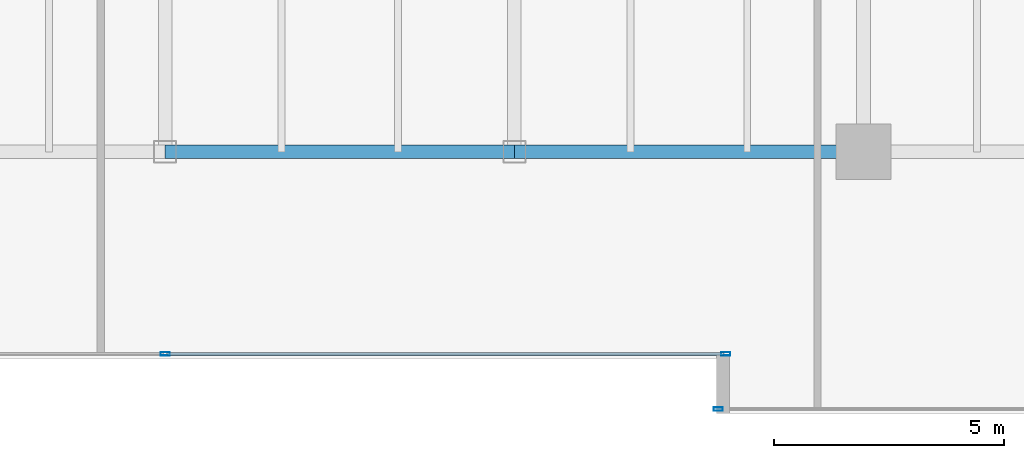
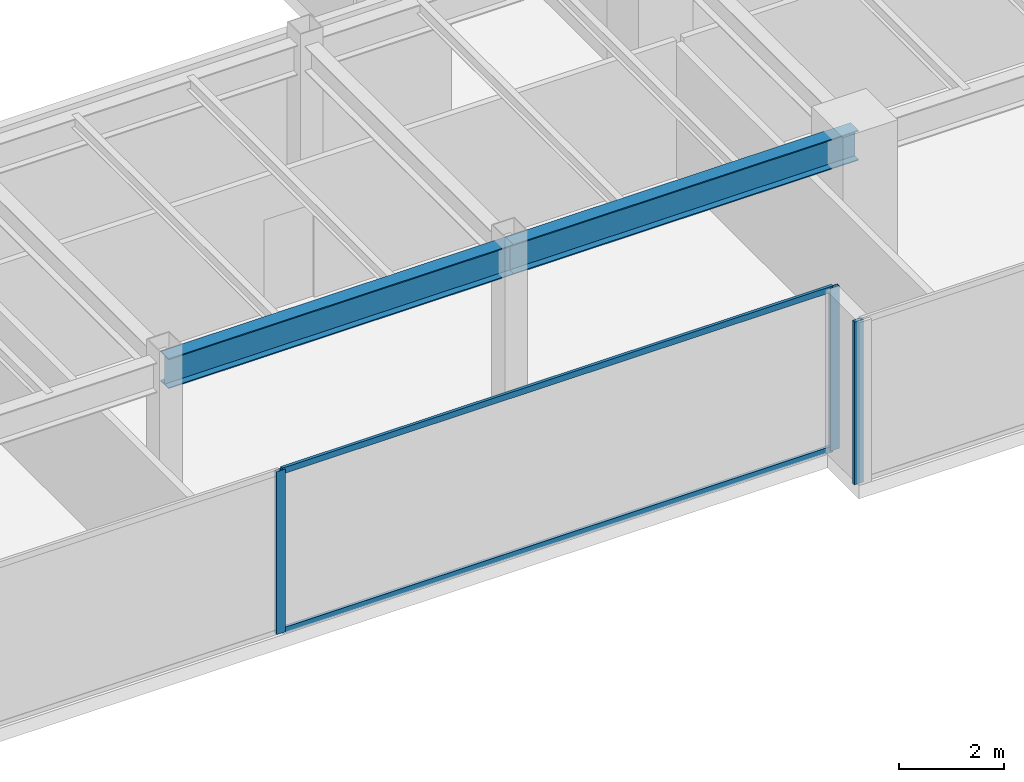
# One storey, part 10 of 31: 5 members, 2 beams, 2 elements without a shape of their own.
"""IFC4 building model written with IfcOpenShell, lengths in metres."""

from ifc_helpers import new_model, si_unit, direction, frame, origin, origin_2d, place, context, subcontext, project, spatial, hollow_rectangle, i_section, extrude, source, transform, mapped, material, layer, layer_set, material_profile, profile_set, type_object, type_shapes, element, aggregate, save


model = new_model("IFC4")

# Units and contexts
model_context = context("Model", 3, precision=1e-05, world=origin(), true_north=direction((0.0, 1.0)))
body_context = subcontext(model_context, "Body", "Model", "MODEL_VIEW")
ifc_project = project(units=[si_unit("LENGTHUNIT", "METRE"), si_unit("AREAUNIT", "SQUARE_METRE"), si_unit("VOLUMEUNIT", "CUBIC_METRE"), si_unit("PLANEANGLEUNIT", "RADIAN"), si_unit("MASSUNIT", "GRAM", prefix="KILO")], contexts=[model_context])

# Site, building, storey
site_placement = place(None, origin())
site = spatial("IfcSite", under=ifc_project, at=site_placement, CompositionType="ELEMENT")
building_placement = place(site_placement, origin())
building = spatial("IfcBuilding", under=site, at=building_placement, Name="Haelvirn Gate Laboratories", CompositionType="ELEMENT")
storey_placement = place(building_placement, frame((0.0, 0.0, 174.800048828125)))
storey = spatial("IfcBuildingStorey", under=building, at=storey_placement, Name="L42", CompositionType="ELEMENT", Elevation=174.800048828125)

# Beams
ifc_material_1 = material(Name="Steel SM355", Category="steel")
ifc_material_profile_1 = material_profile(ifc_material_1, i_section(OverallWidth=0.300048828125, OverallDepth=0.699951171875, WebThickness=0.012939453125, FlangeThickness=0.02392578125, at=origin_2d()), Name="H-700x300x13x24")
ifc_profile_set_1 = profile_set([ifc_material_profile_1], Name="Steel SM355")
beam_type = type_object("IfcBeamType", Name="BM-G-700", PredefinedType="BEAM", material=ifc_profile_set_1)
shared_shape_1 = source(origin(), body_context, "Body", "SweptSolid", [
    extrude(i_section(OverallWidth=0.300048828125, OverallDepth=0.699951171875, WebThickness=0.012939453125, FlangeThickness=0.02392578125, at=origin_2d()), origin(), (0.0, 0.0, 1.0), 7.60009765625),
])
type_shapes(beam_type, [shared_shape_1])
for number, where, z_axis, x_axis, name in (
    (1, (37.39990234375, 7.0, 3.43994140625), (1.0, 0.0, 0.0), (0.0, 1.0, 0.0), "L42 Primary Girder Y7.0 (37.4-45.0)"),
    (2, (45.0, 7.0, 3.43994140625), (1.0, 0.0, 0.0), (0.0, 1.0, 0.0), "L42 Primary Girder Y7.0 (45.0-52.6)"),
):
    element("IfcBeam", number, at=place(storey_placement, frame(where, z_axis=z_axis, x_axis=x_axis)), inside=storey, type_object=beam_type, Name=name, PredefinedType="BEAM", context=body_context, shape_type="MappedRepresentation", body=[
        mapped(shared_shape_1, transform((0.0, 0.0, 0.0), scale=1.0)),
    ])

# Curtain wall, members
ifc_material_2 = material(Name="Anodised bronze unitised aluminium & triple low-E glass", Category="aluminium")
ifc_layer = layer(ifc_material_2, 0.179931640625, Name="CW-SYS-3")
ifc_layer_set = layer_set([ifc_layer], Name="Anodised bronze unitised aluminium & triple low-E glass")
curtain_wall_type = type_object("IfcCurtainWallType", Name="CW-SYS-3", PredefinedType="NOTDEFINED", material=ifc_layer_set)
curtain_wall_1_placement = place(storey_placement, origin())
curtain_wall_1 = element("IfcCurtainWall", 3, at=curtain_wall_1_placement, inside=storey, type_object=curtain_wall_type, Name="L42 Unitised Curtain Wall CW-L42-P0-E02-1", PredefinedType="NOTDEFINED")
ifc_material_3 = material(Name="Extruded aluminium 6063-T6 (anodised bronze)", Category="aluminium")
ifc_material_profile_2 = material_profile(ifc_material_3, hollow_rectangle(XDim=0.06494140625, YDim=0.139892578125, WallThickness=0.00390625, at=origin_2d()), Name="CWT-140x65x4")
ifc_profile_set_2 = profile_set([ifc_material_profile_2], Name="Extruded aluminium 6063-T6 (anodised bronze)")
member_type_1 = type_object("IfcMemberType", Name="CWT-T140", PredefinedType="USERDEFINED", material=ifc_profile_set_2)
shared_shape_2 = source(origin(), body_context, "Body", "SweptSolid", [
    extrude(hollow_rectangle(XDim=0.06494140625, YDim=0.139892578125, WallThickness=0.00390625, at=origin_2d()), origin(), (0.0, 0.0, 1.0), 12.12744140625),
])
type_shapes(member_type_1, [shared_shape_2])
member_1_placement = place(storey_placement, frame((37.4375, 2.60009765625, 0.032470703125), z_axis=(1.0, 0.0, 0.0), x_axis=(0.0, 1.0, 0.0)))
member_1 = element("IfcMember", 4, at=member_1_placement, type_object=member_type_1, Name="CW3 transom 2.1", ObjectType="TRANSOM", PredefinedType="USERDEFINED", context=body_context, shape_type="MappedRepresentation", body=[
    mapped(shared_shape_2, transform((0.0, 0.0, 0.0), scale=1.0)),
])
member_2_placement = place(storey_placement, frame((37.4375, 2.60009765625, 3.757568359375), z_axis=(1.0, 0.0, 0.0), x_axis=(0.0, 1.0, 0.0)))
member_2 = element("IfcMember", 5, at=member_2_placement, type_object=member_type_1, Name="CW3 transom 2.2", ObjectType="TRANSOM", PredefinedType="USERDEFINED", context=body_context, shape_type="MappedRepresentation", body=[
    mapped(shared_shape_2, transform((0.0, 0.0, 0.0), scale=1.0)),
])
ifc_material_profile_3 = material_profile(ifc_material_3, hollow_rectangle(XDim=0.074951171875, YDim=0.199951171875, WallThickness=0.0048828125, at=origin_2d()), Name="CWM-200x75x5")
ifc_profile_set_3 = profile_set([ifc_material_profile_3], Name="Extruded aluminium 6063-T6 (anodised bronze)")
member_type_2 = type_object("IfcMemberType", Name="CWM-T200", PredefinedType="MULLION", material=ifc_profile_set_3)
shared_shape_3 = source(origin(), body_context, "Body", "SweptSolid", [
    extrude(hollow_rectangle(XDim=0.074951171875, YDim=0.199951171875, WallThickness=0.0048828125, at=origin_2d()), origin(), (0.0, 0.0, 1.0), 3.7900390625),
])
type_shapes(member_type_2, [shared_shape_3])
member_3_placement = place(storey_placement, frame((37.39990234375, 2.60009765625, 0.0), z_axis=(0.0, 0.0, 1.0), x_axis=(0.0, 1.0, 0.0)))
member_3 = element("IfcMember", 6, at=member_3_placement, type_object=member_type_2, Name="CW3 mullion 2", PredefinedType="MULLION", context=body_context, shape_type="MappedRepresentation", body=[
    mapped(shared_shape_3, transform((0.0, 0.0, 0.0), scale=1.0)),
])
member_4_placement = place(storey_placement, frame((49.6025390625, 2.60009765625, 0.0), z_axis=(0.0, 0.0, 1.0), x_axis=(0.0, 1.0, 0.0)))
member_4 = element("IfcMember", 7, at=member_4_placement, type_object=member_type_2, Name="CW3 mullion 3", PredefinedType="MULLION", context=body_context, shape_type="MappedRepresentation", body=[
    mapped(shared_shape_3, transform((0.0, 0.0, 0.0), scale=1.0)),
])
aggregate(curtain_wall_1, [member_3, member_4, member_1, member_2])

# Curtain wall, member
curtain_wall_2_placement = place(storey_placement, origin())
curtain_wall_2 = element("IfcCurtainWall", 8, at=curtain_wall_2_placement, inside=storey, type_object=curtain_wall_type, Name="L42 Unitised Curtain Wall CW-L42-P0-E04-1", PredefinedType="NOTDEFINED")
member_5_placement = place(storey_placement, frame((49.4375, 1.39990234375, 0.0), z_axis=(0.0, 0.0, 1.0), x_axis=(0.0, 1.0, 0.0)))
member_5 = element("IfcMember", 9, at=member_5_placement, type_object=member_type_2, Name="CW3 mullion 1", PredefinedType="MULLION", context=body_context, shape_type="MappedRepresentation", body=[
    mapped(shared_shape_3, transform((0.0, 0.0, 0.0), scale=1.0)),
])
aggregate(curtain_wall_2, [member_5])

save(model, "model.ifc")
